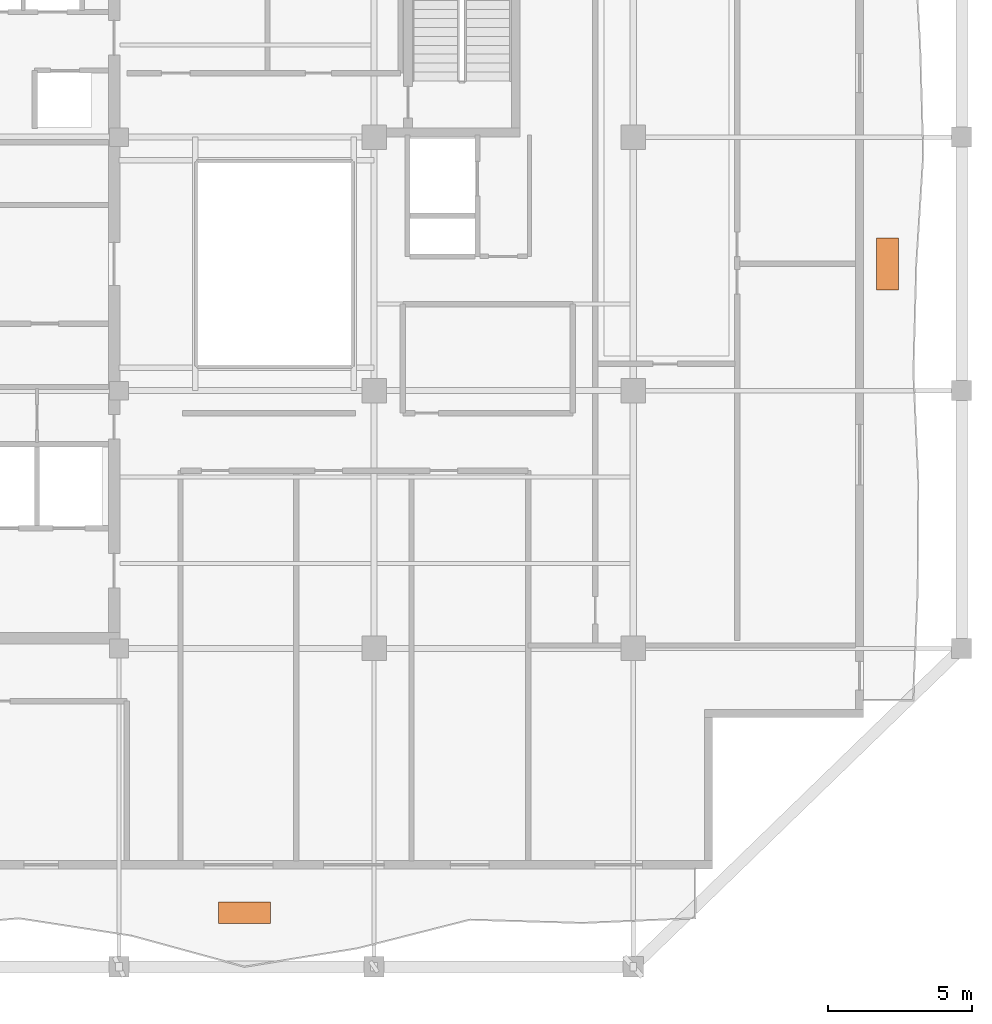
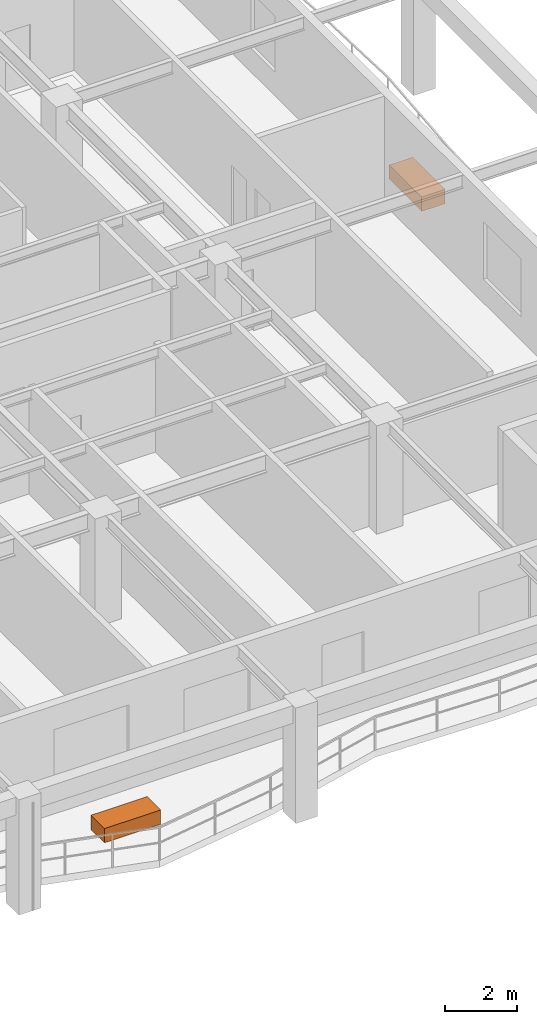
# One storey, part 11 of 11: 2 proxies.
"""IFC4 building model written with IfcOpenShell, lengths in metres."""

import ifcopenshell
import ifcopenshell.guid

model = None  # the IFC model being written
_history = None  # IfcOwnerHistory: only IFC2X3 demands one
_inside = {}  # id of a spatial element -> (the spatial element, [elements in it])
_under = {}  # id of a project, library or spatial element -> (it, [spatial elements below it])
_declared = {}  # id of a project -> (the project, [libraries it declares])
_typed = {}  # id of a type object -> (the type object, [elements of that type])
_made_of = {}  # id of a material, layer set ... -> (it, [elements and type objects made of it])


def new_model(schema):
    """Start an empty IFC model of exactly this schema.

    Asked for "IFC4X3", IfcOpenShell would pick the latest addendum, in which some entities
    have other attributes; the version numbers below select the first issue.
    IFC2X3 requires an IfcOwnerHistory on every rooted entity: one is made here for all.
    """
    global model, _history
    if schema == "IFC4X3":
        model = ifcopenshell.file(schema_version=(4, 3, 0, 0))
    else:
        model = ifcopenshell.file(schema=schema)
    _inside.clear()
    _under.clear()
    _declared.clear()
    _typed.clear()
    _made_of.clear()
    _history = None
    if model.schema == "IFC2X3":
        org = make("IfcOrganization", Name="unknown")
        user = make(
            "IfcPersonAndOrganization",
            ThePerson=make("IfcPerson", FamilyName="unknown"),
            TheOrganization=org,
        )
        app = make(
            "IfcApplication",
            ApplicationDeveloper=org,
            Version="unknown",
            ApplicationFullName="unknown",
            ApplicationIdentifier="unknown",
        )
        _history = make(
            "IfcOwnerHistory",
            OwningUser=user,
            OwningApplication=app,
            ChangeAction="ADDED",
            CreationDate=0,
        )
    return model


def make(cls, **values):
    """One entity of the class cls with the attributes given. An attribute that is None is left unset."""
    return model.create_entity(
        cls, **{name: value for name, value in values.items() if value is not None}
    )


def rooted(cls, **values):
    """An entity with a GlobalId (a new one), such as an element, a storey or a relation."""
    return make(cls, GlobalId=ifcopenshell.guid.new(), OwnerHistory=_history, **values)


def si_unit(unit_type, name, prefix=None):
    """IfcSIUnit, for example si_unit("LENGTHUNIT", "METRE", prefix="MILLI")."""
    return make("IfcSIUnit", UnitType=unit_type, Prefix=prefix, Name=name)


def assignment(units):
    """IfcUnitAssignment: the units of a project."""
    return None if units is None else make("IfcUnitAssignment", Units=units)


def point(xyz):
    """IfcCartesianPoint."""
    return None if xyz is None else make("IfcCartesianPoint", Coordinates=xyz)


def direction(xyz):
    """IfcDirection."""
    return None if xyz is None else make("IfcDirection", DirectionRatios=xyz)


def frame(location, z_axis=None, x_axis=None):
    """IfcAxis2Placement3D, a coordinate frame: its origin and axes. An axis left out is left unset."""
    return make(
        "IfcAxis2Placement3D",
        Location=point(location),
        Axis=direction(z_axis),
        RefDirection=direction(x_axis),
    )


def frame_2d(location, x_axis=None):
    """IfcAxis2Placement2D, a coordinate frame in the plane: its origin and x axis."""
    return make(
        "IfcAxis2Placement2D", Location=point(location), RefDirection=direction(x_axis)
    )


def origin():
    """The frame at (0, 0, 0) with its axes left unset."""
    return frame((0.0, 0.0, 0.0))


def origin_2d():
    """The frame at (0, 0) in the plane with its x axis left unset."""
    return frame_2d((0.0, 0.0))


def place(relative_to, where):
    """IfcLocalPlacement: puts the frame where relative to a parent placement (None: the world)."""
    return make(
        "IfcLocalPlacement", PlacementRelTo=relative_to, RelativePlacement=where
    )


def context(
    kind, dimensions, precision=None, world=None, true_north=None, identifier=None
):
    """IfcGeometricRepresentationContext, for example the 3D "Model" context."""
    return make(
        "IfcGeometricRepresentationContext",
        ContextIdentifier=identifier,
        ContextType=kind,
        CoordinateSpaceDimension=dimensions,
        Precision=precision,
        WorldCoordinateSystem=world,
        TrueNorth=true_north,
    )


def subcontext(parent, identifier, kind, view, scale=None):
    """IfcGeometricRepresentationSubContext, for example "Body" below "Model"."""
    return make(
        "IfcGeometricRepresentationSubContext",
        ContextIdentifier=identifier,
        ContextType=kind,
        ParentContext=parent,
        TargetScale=scale,
        TargetView=view,
    )


def project(units=None, contexts=None):
    """IfcProject with its units and contexts."""
    return rooted(
        "IfcProject",
        Name="project",
        RepresentationContexts=contexts,
        UnitsInContext=assignment(units),
    )


def spatial(cls, under=None, at=None, **own):
    """A site, building, storey or space (cls), placed at a placement, below another one or the project."""
    s = rooted(cls, ObjectPlacement=at, **own)
    if under is not None:
        _under.setdefault(under.id(), (under, []))[1].append(s)
    return s


def profile(cls, at=None, kind="AREA", **sizes):
    """A parametric profile (cls). Its sizes go by their IFC names, for example OverallWidth=200.0."""
    return make(cls, ProfileType=kind, Position=at, **sizes)


def rectangle(**sizes):
    """IfcRectangleProfileDef."""
    return profile("IfcRectangleProfileDef", **sizes)


def extrude(swept, where, along, depth):
    """IfcExtrudedAreaSolid: the profile swept, set in the frame where, extruded along a direction by depth."""
    return make(
        "IfcExtrudedAreaSolid",
        SweptArea=swept,
        Position=where,
        ExtrudedDirection=direction(along),
        Depth=depth,
    )


def shape(context_of_items, identifier, shape_type, items):
    """IfcShapeRepresentation: the items that make up one representation, for example the "Body"."""
    return make(
        "IfcShapeRepresentation",
        ContextOfItems=context_of_items,
        RepresentationIdentifier=identifier,
        RepresentationType=shape_type,
        Items=items,
    )


def material(Name=None, Category=None):
    """IfcMaterial."""
    return make("IfcMaterial", Name=Name, Category=Category)


def made_of(thing, what):
    """Note that an element or type object is made of a material, layer set ...; save() writes the relation."""
    if what is not None:
        _made_of.setdefault(what.id(), (what, []))[1].append(thing)
    return thing


def type_object(cls, material=None, **own):
    """A type object (cls), such as IfcWallType, which elements share."""
    return made_of(rooted(cls, **own), material)


def element(
    cls,
    number,
    at=None,
    inside=None,
    cuts=None,
    type_object=None,
    material=None,
    context=None,
    identifier="Body",
    shape_type=None,
    held_by="IfcProductDefinitionShape",
    body=None,
    shapes=None,
    **own,
):
    """One element of the class cls, such as IfcWall. Its Tag is "e" and its number.

    at: its placement. inside: the storey or other place that contains it. cuts: it is an
    opening in that element (IfcRelVoidsElement). A single representation is given by context,
    identifier, shape_type and body (its items); several are given by shapes. held_by: the class
    of the entity that holds the representations. save() writes the other relations.
    """
    e = rooted(cls, Tag="e%d" % number, ObjectPlacement=at, **own)
    if body is not None:
        shapes = [shape(context, identifier, shape_type, body)]
    if shapes is not None:
        e.Representation = make(held_by, Representations=shapes)
    if inside is not None:
        _inside.setdefault(inside.id(), (inside, []))[1].append(e)
    if cuts is not None:
        rooted(
            "IfcRelVoidsElement", RelatingBuildingElement=cuts, RelatedOpeningElement=e
        )
    if type_object is not None:
        _typed.setdefault(type_object.id(), (type_object, []))[1].append(e)
    return made_of(e, material)


def aggregate(whole, parts):
    """IfcRelAggregates: a whole, such as a stair, and the parts it consists of."""
    return rooted("IfcRelAggregates", RelatingObject=whole, RelatedObjects=parts)


def save(model, path):
    """Write the relations noted so far, then the file.

    IfcRelAggregates (storeys below a building ...), IfcRelContainedInSpatialStructure (elements
    in a storey), IfcRelDefinesByType, IfcRelAssociatesMaterial and IfcRelDeclares: one each for
    every whole, place, type object, material and project.
    """
    for whole, parts in _under.values():
        aggregate(whole, parts)
    for where, things in _inside.values():
        rooted(
            "IfcRelContainedInSpatialStructure",
            RelatedElements=things,
            RelatingStructure=where,
        )
    for kind, things in _typed.values():
        rooted("IfcRelDefinesByType", RelatedObjects=things, RelatingType=kind)
    for what, things in _made_of.values():
        rooted("IfcRelAssociatesMaterial", RelatedObjects=things, RelatingMaterial=what)
    for by, libraries in _declared.values():
        rooted("IfcRelDeclares", RelatingContext=by, RelatedDefinitions=libraries)
    model.write(path)


model = new_model("IFC4")

# Units and contexts
model_context = context("Model", 3, precision=1e-05, world=origin(), true_north=direction((0.0, 1.0)))
body_context = subcontext(model_context, "Body", "Model", "MODEL_VIEW")
ifc_project = project(units=[si_unit("LENGTHUNIT", "METRE"), si_unit("AREAUNIT", "SQUARE_METRE"), si_unit("VOLUMEUNIT", "CUBIC_METRE"), si_unit("PLANEANGLEUNIT", "RADIAN"), si_unit("MASSUNIT", "GRAM", prefix="KILO")], contexts=[model_context])

# Site, building, storey
site_placement = place(None, origin())
site = spatial("IfcSite", under=ifc_project, at=site_placement, CompositionType="ELEMENT")
building_placement = place(site_placement, origin())
building = spatial("IfcBuilding", under=site, at=building_placement, Name="Kundavana Baori Tower", CompositionType="ELEMENT")
storey_placement = place(building_placement, frame((0.0, 0.0, 260.89990234375)))
storey = spatial("IfcBuildingStorey", under=building, at=storey_placement, Name="L64", CompositionType="ELEMENT", Elevation=260.89990234375)

# Proxies
ifc_material = material(Name="Red-Buff Dholpur Sandstone Cladding on Concrete C40/50", Category="masonry")
building_element_proxy_type = type_object("IfcBuildingElementProxyType", Name="PRX-PLANTER-1800", PredefinedType="USERDEFINED", material=ifc_material)
for number, where, z_axis, x_axis, name in (
    (1, (29.300048828125, 6.070068359375, 0.0), (0.0, 0.0, 1.0), (1.0, 0.0, 0.0), "L64 Dholpur Stone Structural Tree Planter S"),
    (2, (51.625, 28.60009765625, 0.0), (0.0, 0.0, 1.0), (0.0, 1.0, 0.0), "L64 Dholpur Stone Structural Tree Planter E"),
):
    element("IfcBuildingElementProxy", number, at=place(storey_placement, frame(where, z_axis=z_axis, x_axis=x_axis)), inside=storey, type_object=building_element_proxy_type, Name=name, ObjectType="PLANTER", PredefinedType="USERDEFINED", context=body_context, shape_type="SweptSolid", body=[
        extrude(rectangle(XDim=1.800048828125, YDim=0.75, at=origin_2d()), origin(), (0.0, 0.0, 1.0), 0.47998046875),
    ])

save(model, "model.ifc")
